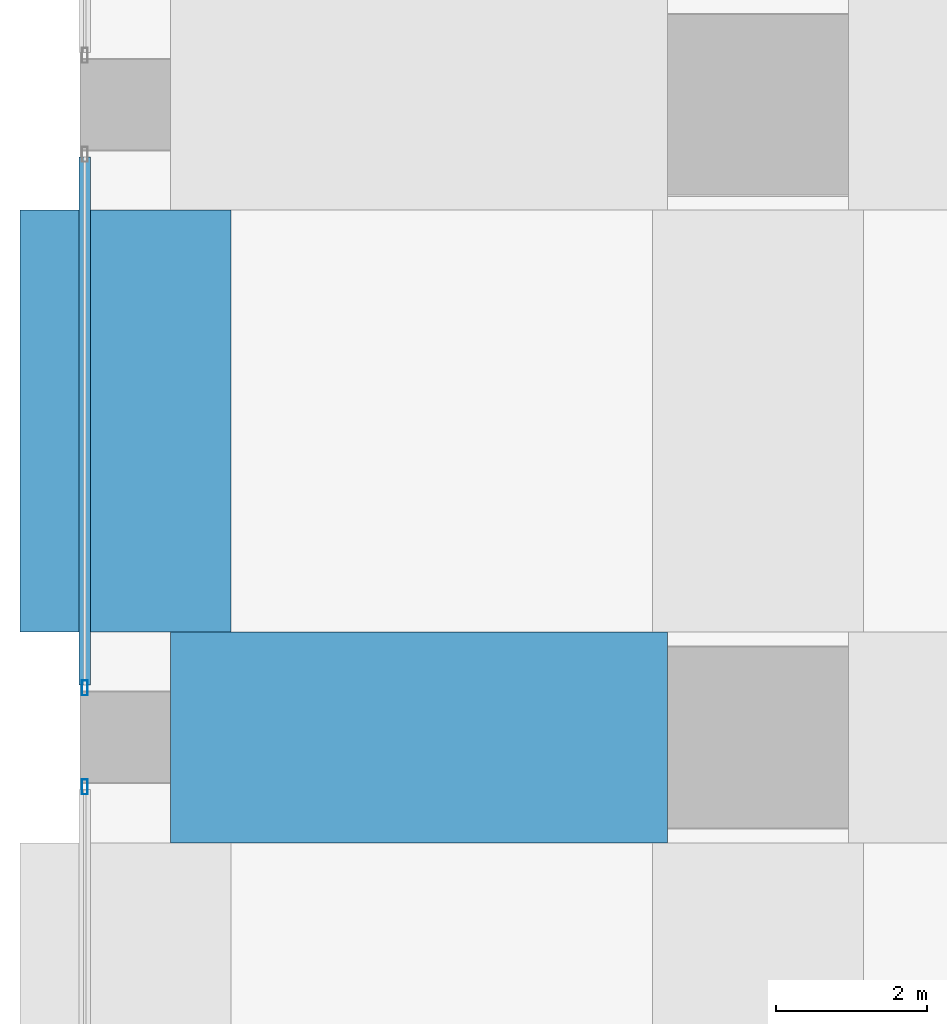
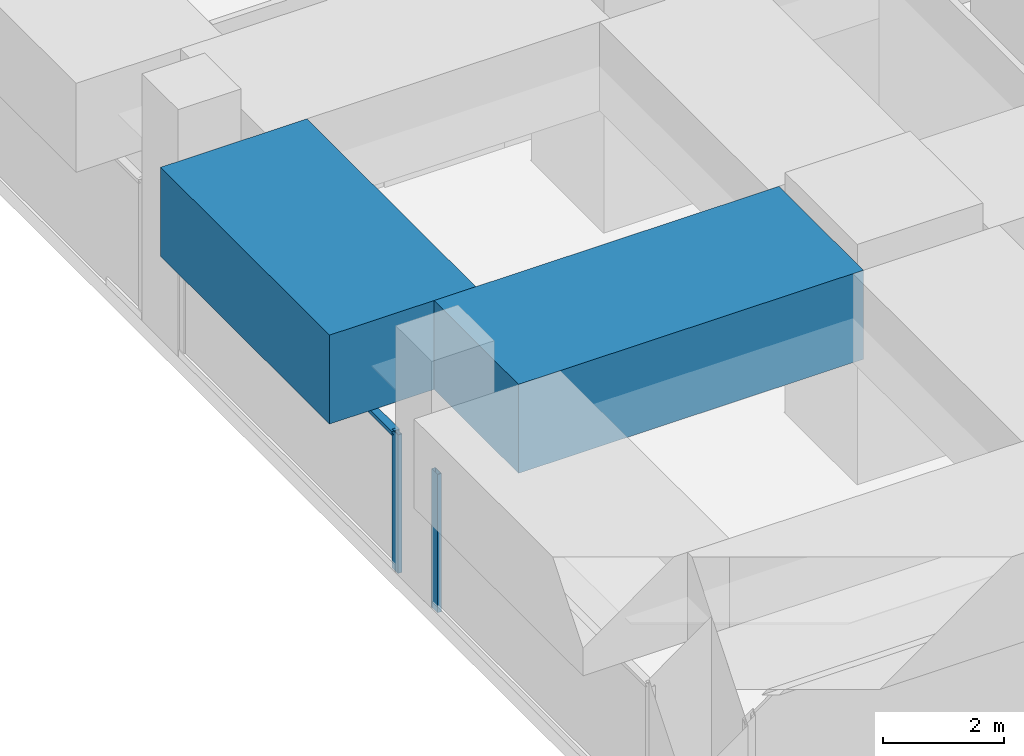
# One storey, part 5 of 52: 3 members, 2 beams, 2 elements without a shape of their own.
"""IFC4 building model written with IfcOpenShell, lengths in metres."""

from ifc_helpers import new_model, si_unit, direction, frame, origin, origin_2d, place, context, subcontext, project, spatial, rectangle, hollow_rectangle, extrude, material, material_profile, profile_set, type_object, element, aggregate, save


model = new_model("IFC4")

# Units and contexts
model_context = context("Model", 3, precision=1e-05, world=origin(), true_north=direction((0.0, 1.0)))
body_context = subcontext(model_context, "Body", "Model", "MODEL_VIEW")
ifc_project = project(units=[si_unit("LENGTHUNIT", "METRE"), si_unit("AREAUNIT", "SQUARE_METRE"), si_unit("VOLUMEUNIT", "CUBIC_METRE"), si_unit("PLANEANGLEUNIT", "RADIAN"), si_unit("MASSUNIT", "GRAM", prefix="KILO")], contexts=[model_context])

# Site, building, storey
site_placement = place(None, origin())
site = spatial("IfcSite", under=ifc_project, at=site_placement, CompositionType="ELEMENT")
building_placement = place(site_placement, origin())
building = spatial("IfcBuilding", under=site, at=building_placement, Name="Rekha Terrace Tower", CompositionType="ELEMENT")
storey_placement = place(building_placement, frame((0.0, 0.0, 20.39990234375)))
storey = spatial("IfcBuildingStorey", under=building, at=storey_placement, Name="L04", CompositionType="ELEMENT", Elevation=20.39990234375)

# Curtain wall, member
ifc_material_1 = material(Name="Aluminium framing", Category="aluminium")
curtain_wall_type = type_object("IfcCurtainWallType", Name="CW4 podium shopfront glazing", PredefinedType="USERDEFINED", material=ifc_material_1)
curtain_wall_1_placement = place(storey_placement, origin())
curtain_wall_1 = element("IfcCurtainWall", 1, at=curtain_wall_1_placement, inside=storey, type_object=curtain_wall_type, Name="CW4 shopfront curtain wall", ObjectType="SHOPFRONT CURTAIN WALL", PredefinedType="USERDEFINED")
ifc_material_2 = material(Name="Aluminium mullion section", Category="aluminium")
ifc_material_profile_1 = material_profile(ifc_material_2, hollow_rectangle(XDim=0.074951171875, YDim=0.199951171875, WallThickness=0.00390625, at=origin_2d()), Name="AL RHS 75x200")
ifc_profile_set_1 = profile_set([ifc_material_profile_1], Name="Aluminium mullion section")
member_type_1 = type_object("IfcMemberType", Name="CW4 mullion RHS 75 x 200", PredefinedType="MULLION", material=ifc_profile_set_1)
member_1_placement = place(storey_placement, frame((-0.5400390625, 9.0576171875, 0.0), z_axis=(0.0, 0.0, 1.0), x_axis=(1.0, 0.0, 0.0)))
member_1 = element("IfcMember", 2, at=member_1_placement, type_object=member_type_1, Name="CW4 mullion 2", PredefinedType="MULLION", context=body_context, shape_type="SweptSolid", body=[
    extrude(hollow_rectangle(XDim=0.074951171875, YDim=0.199951171875, WallThickness=0.00390625, at=origin_2d()), origin(), (0.0, 0.0, 1.0), 2.800048828125),
])

curtain_wall_2_placement = place(storey_placement, origin())
curtain_wall_2 = element("IfcCurtainWall", 3, at=curtain_wall_2_placement, inside=storey, type_object=curtain_wall_type, Name="CW4 shopfront curtain wall", ObjectType="SHOPFRONT CURTAIN WALL", PredefinedType="USERDEFINED")
member_2_placement = place(storey_placement, frame((-0.5400390625, 7.742431640625, 0.0), z_axis=(0.0, 0.0, 1.0), x_axis=(1.0, 0.0, 0.0)))
member_2 = element("IfcMember", 4, at=member_2_placement, type_object=member_type_1, Name="CW4 mullion 1", PredefinedType="MULLION", context=body_context, shape_type="SweptSolid", body=[
    extrude(hollow_rectangle(XDim=0.074951171875, YDim=0.199951171875, WallThickness=0.00390625, at=origin_2d()), origin(), (0.0, 0.0, 1.0), 2.800048828125),
])
aggregate(curtain_wall_2, [member_2])

# Member
ifc_material_3 = material(Name="Aluminium transom section", Category="aluminium")
ifc_material_profile_2 = material_profile(ifc_material_3, hollow_rectangle(XDim=0.14990234375, YDim=0.074951171875, WallThickness=0.0029296875, at=origin_2d()), Name="AL RHS 150x75")
ifc_profile_set_2 = profile_set([ifc_material_profile_2], Name="Aluminium transom section")
member_type_2 = type_object("IfcMemberType", Name="CW4 transom RHS 75 x 150", PredefinedType="USERDEFINED", material=ifc_profile_set_2)
member_3_placement = place(storey_placement, frame((-0.5400390625, 16.10498046875, 2.7626953125), z_axis=(0.0, -1.0, 0.0), x_axis=(1.0, 0.0, 0.0)))
member_3 = element("IfcMember", 5, at=member_3_placement, type_object=member_type_2, Name="CW4 transom 1.2", ObjectType="TRANSOM", PredefinedType="USERDEFINED", context=body_context, shape_type="SweptSolid", body=[
    extrude(hollow_rectangle(XDim=0.14990234375, YDim=0.074951171875, WallThickness=0.0029296875, at=origin_2d()), origin(), (0.0, 0.0, 1.0), 7.010009765625),
])

aggregate(curtain_wall_1, [member_1, member_3])

# Beams
ifc_material_4 = material(Name="Concrete M70", Category="concrete")
ifc_material_profile_3 = material_profile(ifc_material_4, rectangle(XDim=2.800048828125, YDim=1.800048828125, at=origin_2d()), Name="RC 2800x1800")
ifc_profile_set_3 = profile_set([ifc_material_profile_3], Name="Concrete M70")
beam_type = type_object("IfcBeamType", Name="G2 2800x1800 podium roof band beam", PredefinedType="BEAM", material=ifc_profile_set_3)
beam_1_placement = place(storey_placement, frame((0.60009765625, 8.39990234375, 3.7001953125), z_axis=(1.0, 0.0, 0.0), x_axis=(0.0, 1.0, 0.0)))
element("IfcBeam", 6, at=beam_1_placement, inside=storey, type_object=beam_type, Name="Beam G2 1B-2B under L05", PredefinedType="BEAM", context=body_context, shape_type="SweptSolid", body=[
    extrude(rectangle(XDim=2.800048828125, YDim=1.800048828125, at=origin_2d()), origin(), (0.0, 0.0, 1.0), 6.599853515625),
])
beam_2_placement = place(storey_placement, frame((0.0, 9.800048828125, 3.7001953125), z_axis=(0.0, 1.0, 0.0), x_axis=(-1.0, 0.0, 0.0)))
element("IfcBeam", 7, at=beam_2_placement, inside=storey, type_object=beam_type, Name="Beam G2 1B-1C under L05", PredefinedType="BEAM", context=body_context, shape_type="SweptSolid", body=[
    extrude(rectangle(XDim=2.800048828125, YDim=1.800048828125, at=origin_2d()), origin(), (0.0, 0.0, 1.0), 5.599853515625),
])

save(model, "model.ifc")
